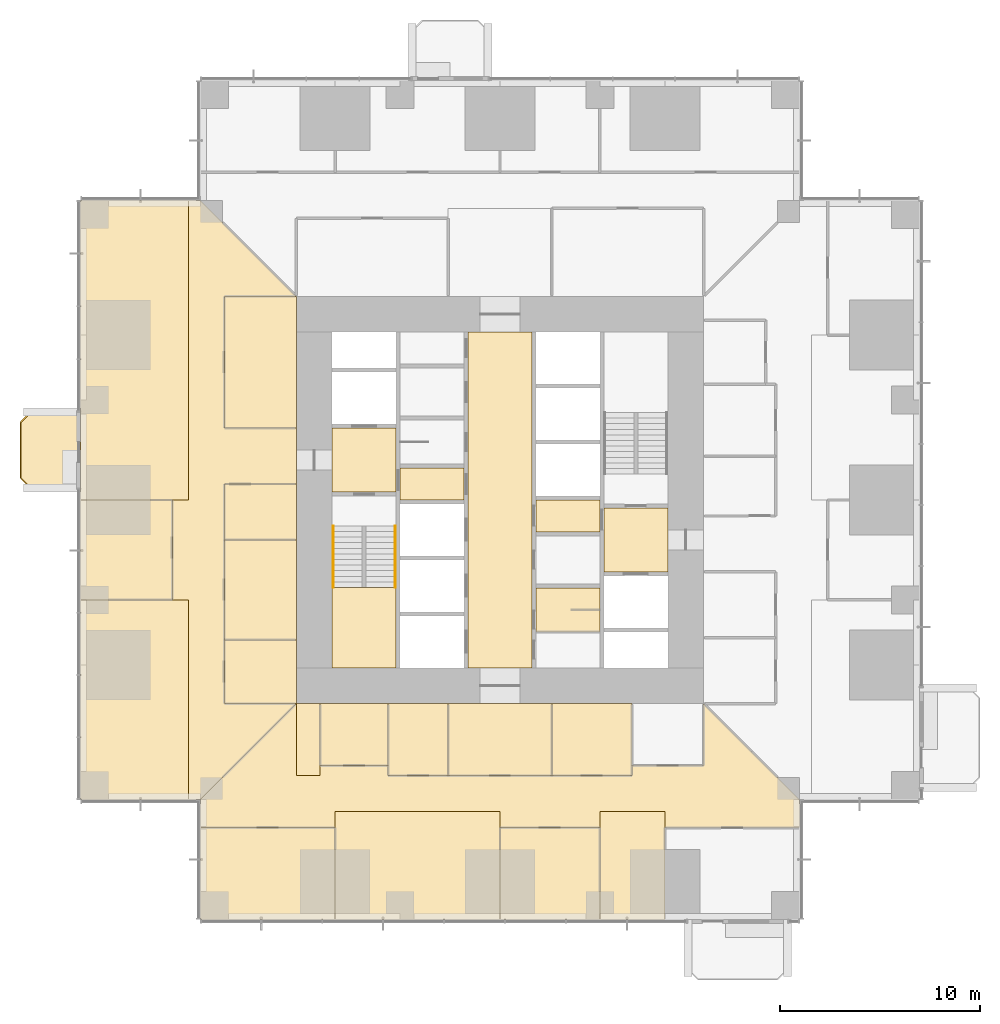
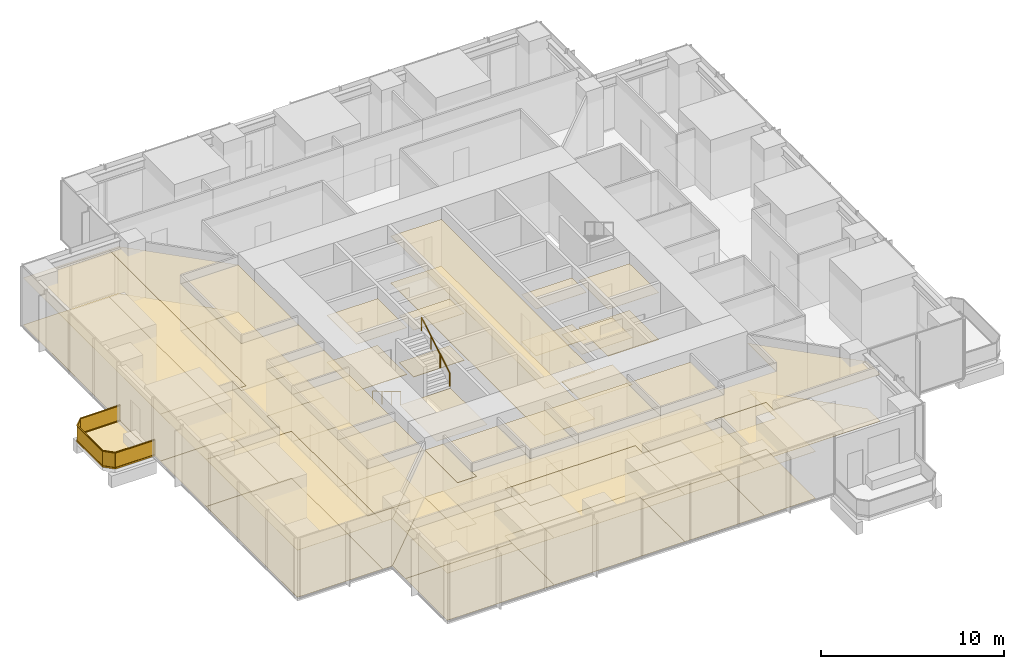
# One storey, part 13 of 16: 50 coverings, 3 railings.
"""IFC4 building model written with IfcOpenShell, lengths in metres."""

import ifcopenshell
import ifcopenshell.guid

model = None  # the IFC model being written
_history = None  # IfcOwnerHistory: only IFC2X3 demands one
_inside = {}  # id of a spatial element -> (the spatial element, [elements in it])
_under = {}  # id of a project, library or spatial element -> (it, [spatial elements below it])
_declared = {}  # id of a project -> (the project, [libraries it declares])
_typed = {}  # id of a type object -> (the type object, [elements of that type])
_made_of = {}  # id of a material, layer set ... -> (it, [elements and type objects made of it])


def new_model(schema):
    """Start an empty IFC model of exactly this schema.

    Asked for "IFC4X3", IfcOpenShell would pick the latest addendum, in which some entities
    have other attributes; the version numbers below select the first issue.
    IFC2X3 requires an IfcOwnerHistory on every rooted entity: one is made here for all.
    """
    global model, _history
    if schema == "IFC4X3":
        model = ifcopenshell.file(schema_version=(4, 3, 0, 0))
    else:
        model = ifcopenshell.file(schema=schema)
    _inside.clear()
    _under.clear()
    _declared.clear()
    _typed.clear()
    _made_of.clear()
    _history = None
    if model.schema == "IFC2X3":
        org = make("IfcOrganization", Name="unknown")
        user = make(
            "IfcPersonAndOrganization",
            ThePerson=make("IfcPerson", FamilyName="unknown"),
            TheOrganization=org,
        )
        app = make(
            "IfcApplication",
            ApplicationDeveloper=org,
            Version="unknown",
            ApplicationFullName="unknown",
            ApplicationIdentifier="unknown",
        )
        _history = make(
            "IfcOwnerHistory",
            OwningUser=user,
            OwningApplication=app,
            ChangeAction="ADDED",
            CreationDate=0,
        )
    return model


def make(cls, **values):
    """One entity of the class cls with the attributes given. An attribute that is None is left unset."""
    return model.create_entity(
        cls, **{name: value for name, value in values.items() if value is not None}
    )


def rooted(cls, **values):
    """An entity with a GlobalId (a new one), such as an element, a storey or a relation."""
    return make(cls, GlobalId=ifcopenshell.guid.new(), OwnerHistory=_history, **values)


def si_unit(unit_type, name, prefix=None):
    """IfcSIUnit, for example si_unit("LENGTHUNIT", "METRE", prefix="MILLI")."""
    return make("IfcSIUnit", UnitType=unit_type, Prefix=prefix, Name=name)


def assignment(units):
    """IfcUnitAssignment: the units of a project."""
    return None if units is None else make("IfcUnitAssignment", Units=units)


def point(xyz):
    """IfcCartesianPoint."""
    return None if xyz is None else make("IfcCartesianPoint", Coordinates=xyz)


def direction(xyz):
    """IfcDirection."""
    return None if xyz is None else make("IfcDirection", DirectionRatios=xyz)


def frame(location, z_axis=None, x_axis=None):
    """IfcAxis2Placement3D, a coordinate frame: its origin and axes. An axis left out is left unset."""
    return make(
        "IfcAxis2Placement3D",
        Location=point(location),
        Axis=direction(z_axis),
        RefDirection=direction(x_axis),
    )


def frame_2d(location, x_axis=None):
    """IfcAxis2Placement2D, a coordinate frame in the plane: its origin and x axis."""
    return make(
        "IfcAxis2Placement2D", Location=point(location), RefDirection=direction(x_axis)
    )


def origin():
    """The frame at (0, 0, 0) with its axes left unset."""
    return frame((0.0, 0.0, 0.0))


def origin_2d():
    """The frame at (0, 0) in the plane with its x axis left unset."""
    return frame_2d((0.0, 0.0))


def place(relative_to, where):
    """IfcLocalPlacement: puts the frame where relative to a parent placement (None: the world)."""
    return make(
        "IfcLocalPlacement", PlacementRelTo=relative_to, RelativePlacement=where
    )


def context(
    kind, dimensions, precision=None, world=None, true_north=None, identifier=None
):
    """IfcGeometricRepresentationContext, for example the 3D "Model" context."""
    return make(
        "IfcGeometricRepresentationContext",
        ContextIdentifier=identifier,
        ContextType=kind,
        CoordinateSpaceDimension=dimensions,
        Precision=precision,
        WorldCoordinateSystem=world,
        TrueNorth=true_north,
    )


def subcontext(parent, identifier, kind, view, scale=None):
    """IfcGeometricRepresentationSubContext, for example "Body" below "Model"."""
    return make(
        "IfcGeometricRepresentationSubContext",
        ContextIdentifier=identifier,
        ContextType=kind,
        ParentContext=parent,
        TargetScale=scale,
        TargetView=view,
    )


def project(units=None, contexts=None):
    """IfcProject with its units and contexts."""
    return rooted(
        "IfcProject",
        Name="project",
        RepresentationContexts=contexts,
        UnitsInContext=assignment(units),
    )


def spatial(cls, under=None, at=None, **own):
    """A site, building, storey or space (cls), placed at a placement, below another one or the project."""
    s = rooted(cls, ObjectPlacement=at, **own)
    if under is not None:
        _under.setdefault(under.id(), (under, []))[1].append(s)
    return s


def polyline(points):
    """IfcPolyline through the points."""
    return make("IfcPolyline", Points=[point(p) for p in points])


def profile(cls, at=None, kind="AREA", **sizes):
    """A parametric profile (cls). Its sizes go by their IFC names, for example OverallWidth=200.0."""
    return make(cls, ProfileType=kind, Position=at, **sizes)


def rectangle(**sizes):
    """IfcRectangleProfileDef."""
    return profile("IfcRectangleProfileDef", **sizes)


def circle(**sizes):
    """IfcCircleProfileDef."""
    return profile("IfcCircleProfileDef", **sizes)


def outline(outer, holes=None, kind="AREA"):
    """IfcArbitraryClosedProfileDef: a profile drawn as a closed curve; with holes, ...WithVoids."""
    if holes is None:
        return make("IfcArbitraryClosedProfileDef", ProfileType=kind, OuterCurve=outer)
    return make(
        "IfcArbitraryProfileDefWithVoids",
        ProfileType=kind,
        OuterCurve=outer,
        InnerCurves=holes,
    )


def extrude(swept, where, along, depth):
    """IfcExtrudedAreaSolid: the profile swept, set in the frame where, extruded along a direction by depth."""
    return make(
        "IfcExtrudedAreaSolid",
        SweptArea=swept,
        Position=where,
        ExtrudedDirection=direction(along),
        Depth=depth,
    )


def shape(context_of_items, identifier, shape_type, items):
    """IfcShapeRepresentation: the items that make up one representation, for example the "Body"."""
    return make(
        "IfcShapeRepresentation",
        ContextOfItems=context_of_items,
        RepresentationIdentifier=identifier,
        RepresentationType=shape_type,
        Items=items,
    )


def material(Name=None, Category=None):
    """IfcMaterial."""
    return make("IfcMaterial", Name=Name, Category=Category)


def layer(
    of_material, thickness, ventilated=None, Name=None, Category=None, Priority=None
):
    """IfcMaterialLayer: one layer of a wall or slab, of a material (None: an air gap)."""
    return make(
        "IfcMaterialLayer",
        Material=of_material,
        LayerThickness=thickness,
        IsVentilated=ventilated,
        Name=Name,
        Category=Category,
        Priority=Priority,
    )


def layer_set(layers, Name=None):
    """IfcMaterialLayerSet."""
    return make("IfcMaterialLayerSet", MaterialLayers=layers, LayerSetName=Name)


def made_of(thing, what):
    """Note that an element or type object is made of a material, layer set ...; save() writes the relation."""
    if what is not None:
        _made_of.setdefault(what.id(), (what, []))[1].append(thing)
    return thing


def type_object(cls, material=None, **own):
    """A type object (cls), such as IfcWallType, which elements share."""
    return made_of(rooted(cls, **own), material)


def element(
    cls,
    number,
    at=None,
    inside=None,
    cuts=None,
    type_object=None,
    material=None,
    context=None,
    identifier="Body",
    shape_type=None,
    held_by="IfcProductDefinitionShape",
    body=None,
    shapes=None,
    **own,
):
    """One element of the class cls, such as IfcWall. Its Tag is "e" and its number.

    at: its placement. inside: the storey or other place that contains it. cuts: it is an
    opening in that element (IfcRelVoidsElement). A single representation is given by context,
    identifier, shape_type and body (its items); several are given by shapes. held_by: the class
    of the entity that holds the representations. save() writes the other relations.
    """
    e = rooted(cls, Tag="e%d" % number, ObjectPlacement=at, **own)
    if body is not None:
        shapes = [shape(context, identifier, shape_type, body)]
    if shapes is not None:
        e.Representation = make(held_by, Representations=shapes)
    if inside is not None:
        _inside.setdefault(inside.id(), (inside, []))[1].append(e)
    if cuts is not None:
        rooted(
            "IfcRelVoidsElement", RelatingBuildingElement=cuts, RelatedOpeningElement=e
        )
    if type_object is not None:
        _typed.setdefault(type_object.id(), (type_object, []))[1].append(e)
    return made_of(e, material)


def aggregate(whole, parts):
    """IfcRelAggregates: a whole, such as a stair, and the parts it consists of."""
    return rooted("IfcRelAggregates", RelatingObject=whole, RelatedObjects=parts)


def save(model, path):
    """Write the relations noted so far, then the file.

    IfcRelAggregates (storeys below a building ...), IfcRelContainedInSpatialStructure (elements
    in a storey), IfcRelDefinesByType, IfcRelAssociatesMaterial and IfcRelDeclares: one each for
    every whole, place, type object, material and project.
    """
    for whole, parts in _under.values():
        aggregate(whole, parts)
    for where, things in _inside.values():
        rooted(
            "IfcRelContainedInSpatialStructure",
            RelatedElements=things,
            RelatingStructure=where,
        )
    for kind, things in _typed.values():
        rooted("IfcRelDefinesByType", RelatedObjects=things, RelatingType=kind)
    for what, things in _made_of.values():
        rooted("IfcRelAssociatesMaterial", RelatedObjects=things, RelatingMaterial=what)
    for by, libraries in _declared.values():
        rooted("IfcRelDeclares", RelatingContext=by, RelatedDefinitions=libraries)
    model.write(path)


model = new_model("IFC4")

# Units and contexts
model_context = context("Model", 3, precision=1e-05, world=origin(), true_north=direction((0.0, 1.0)))
body_context = subcontext(model_context, "Body", "Model", "MODEL_VIEW")
ifc_project = project(units=[si_unit("LENGTHUNIT", "METRE"), si_unit("AREAUNIT", "SQUARE_METRE"), si_unit("VOLUMEUNIT", "CUBIC_METRE"), si_unit("PLANEANGLEUNIT", "RADIAN"), si_unit("MASSUNIT", "GRAM", prefix="KILO")], contexts=[model_context])

# Site, building, storey
site_placement = place(None, origin())
site = spatial("IfcSite", under=ifc_project, at=site_placement, CompositionType="ELEMENT")
building_placement = place(site_placement, origin())
building = spatial("IfcBuilding", under=site, at=building_placement, Name="Svetlomir Tower", CompositionType="ELEMENT")
storey_placement = place(building_placement, frame((0.0, 0.0, 50.5)))
storey = spatial("IfcBuildingStorey", under=building, at=storey_placement, Name="L11", CompositionType="ELEMENT", Elevation=50.5)

# Railing
ifc_material_1 = material(Name="Bronze anodised aluminium and laminated glass", Category="aluminium")
railing_type_1 = type_object("IfcRailingType", Name="BALCONY GUARD GR1 1100", PredefinedType="GUARDRAIL", material=ifc_material_1)
railing_1_placement = place(storey_placement, frame((0.0, 25.39990234375, 0.0)))
element("IfcRailing", 1, at=railing_1_placement, inside=storey, type_object=railing_type_1, Name="Balcony guard W L11", PredefinedType="GUARDRAIL", context=body_context, shape_type="SweptSolid", body=[
    extrude(rectangle(XDim=0.06005859375, YDim=0.10009765625, at=origin_2d()), frame((0.0, 0.0, 0.050048828125), z_axis=(-1.0, 0.0, 0.0), x_axis=(0.0, -1.0, 0.0)), (0.0, 0.0, 1.0), 2.5),
    extrude(rectangle(XDim=0.021484375, YDim=0.960205078125, at=origin_2d()), frame((0.0, 0.0, 0.580078125), z_axis=(-1.0, 0.0, 0.0), x_axis=(0.0, -1.0, 0.0)), (0.0, 0.0, 1.0), 2.5),
    extrude(rectangle(XDim=0.06005859375, YDim=0.0400390625, at=origin_2d()), frame((0.0, 0.0, 1.080078125), z_axis=(-1.0, 0.0, 0.0), x_axis=(0.0, -1.0, 0.0)), (0.0, 0.0, 1.0), 2.5),
    extrude(rectangle(XDim=0.06005859375, YDim=0.10009765625, at=origin_2d()), frame((-2.5, 0.0, 0.050048828125), z_axis=(-0.707106781187, -0.707106781187, 0.0), x_axis=(0.707106781187, -0.707106781187, 0.0)), (0.0, 0.0, 1.0), 0.70703125),
    extrude(rectangle(XDim=0.021484375, YDim=0.960205078125, at=origin_2d()), frame((-2.5, 0.0, 0.580078125), z_axis=(-0.707106781187, -0.707106781187, 0.0), x_axis=(0.707106781187, -0.707106781187, 0.0)), (0.0, 0.0, 1.0), 0.70703125),
    extrude(rectangle(XDim=0.06005859375, YDim=0.0400390625, at=origin_2d()), frame((-2.5, 0.0, 1.080078125), z_axis=(-0.707106781187, -0.707106781187, 0.0), x_axis=(0.707106781187, -0.707106781187, 0.0)), (0.0, 0.0, 1.0), 0.70703125),
    extrude(rectangle(XDim=0.06005859375, YDim=0.10009765625, at=origin_2d()), frame((-3.0, -0.5, 0.050048828125), z_axis=(0.0, -1.0, 0.0), x_axis=(1.0, 0.0, 0.0)), (0.0, 0.0, 1.0), 2.7998046875),
    extrude(rectangle(XDim=0.021484375, YDim=0.960205078125, at=origin_2d()), frame((-3.0, -0.5, 0.580078125), z_axis=(0.0, -1.0, 0.0), x_axis=(1.0, 0.0, 0.0)), (0.0, 0.0, 1.0), 2.7998046875),
    extrude(rectangle(XDim=0.06005859375, YDim=0.0400390625, at=origin_2d()), frame((-3.0, -0.5, 1.080078125), z_axis=(0.0, -1.0, 0.0), x_axis=(1.0, 0.0, 0.0)), (0.0, 0.0, 1.0), 2.7998046875),
    extrude(rectangle(XDim=0.06005859375, YDim=0.10009765625, at=origin_2d()), frame((-3.0, -3.2998046875, 0.050048828125), z_axis=(0.707106781187, -0.707106781187, 0.0), x_axis=(0.707106781187, 0.707106781187, 0.0)), (0.0, 0.0, 1.0), 0.70703125),
    extrude(rectangle(XDim=0.021484375, YDim=0.960205078125, at=origin_2d()), frame((-3.0, -3.2998046875, 0.580078125), z_axis=(0.707106781187, -0.707106781187, 0.0), x_axis=(0.707106781187, 0.707106781187, 0.0)), (0.0, 0.0, 1.0), 0.70703125),
    extrude(rectangle(XDim=0.06005859375, YDim=0.0400390625, at=origin_2d()), frame((-3.0, -3.2998046875, 1.080078125), z_axis=(0.707106781187, -0.707106781187, 0.0), x_axis=(0.707106781187, 0.707106781187, 0.0)), (0.0, 0.0, 1.0), 0.70703125),
    extrude(rectangle(XDim=0.06005859375, YDim=0.10009765625, at=origin_2d()), frame((-2.5, -3.7998046875, 0.050048828125), z_axis=(1.0, 0.0, 0.0), x_axis=(0.0, 1.0, 0.0)), (0.0, 0.0, 1.0), 2.5),
    extrude(rectangle(XDim=0.021484375, YDim=0.960205078125, at=origin_2d()), frame((-2.5, -3.7998046875, 0.580078125), z_axis=(1.0, 0.0, 0.0), x_axis=(0.0, 1.0, 0.0)), (0.0, 0.0, 1.0), 2.5),
    extrude(rectangle(XDim=0.06005859375, YDim=0.0400390625, at=origin_2d()), frame((-2.5, -3.7998046875, 1.080078125), z_axis=(1.0, 0.0, 0.0), x_axis=(0.0, 1.0, 0.0)), (0.0, 0.0, 1.0), 2.5),
])

# Coverings
ifc_material_2 = material(Name="Granite paving slabs on pedestals", Category="masonry")
ifc_layer_1 = layer(ifc_material_2, 0.0400390625)
ifc_layer_set_1 = layer_set([ifc_layer_1], Name="Granite paving slabs on pedestals")
covering_type_1 = type_object("IfcCoveringType", Name="BALCONY PAVING 40", PredefinedType="USERDEFINED", material=ifc_layer_set_1)
covering_1_placement = place(storey_placement, origin())
element("IfcCovering", 2, at=covering_1_placement, inside=storey, type_object=covering_type_1, Name="Balcony paving W L11", ObjectType="BALCONY PAVING", PredefinedType="USERDEFINED", context=body_context, shape_type="SweptSolid", body=[
    extrude(outline(polyline([(-2.5, 21.60009765625), (0.0, 21.60009765625), (0.0, 25.39990234375), (-2.5, 25.39990234375), (-3.0, 24.89990234375), (-3.0, 22.10009765625), (-2.5, 21.60009765625)])), origin(), (0.0, 0.0, 1.0), 0.0400390625),
])
ifc_material_3 = material(Name="Carpet tile", Category="textile")
ifc_layer_2 = layer(ifc_material_3, 0.010009765625)
ifc_layer_set_2 = layer_set([ifc_layer_2], Name="Carpet tile")
covering_type_2 = type_object("IfcCoveringType", Name="CARPET TILE FLOOR 10", PredefinedType="FLOORING", material=ifc_layer_set_2)
covering_2_placement = place(storey_placement, origin())
element("IfcCovering", 3, at=covering_2_placement, inside=storey, type_object=covering_type_2, Name="Floor finish L11-14", PredefinedType="FLOORING", context=body_context, shape_type="SweptSolid", body=[
    extrude(outline(polyline([(12.0, 7.699951171875), (15.39990234375, 7.699951171875), (15.39990234375, 10.800048828125), (12.0, 10.800048828125), (12.0, 7.699951171875)])), origin(), (0.0, 0.0, 1.0), 0.010009765625),
])
covering_3_placement = place(storey_placement, origin())
element("IfcCovering", 4, at=covering_3_placement, inside=storey, type_object=covering_type_2, Name="Floor finish L11-15", PredefinedType="FLOORING", context=body_context, shape_type="SweptSolid", body=[
    extrude(outline(polyline([(15.39990234375, 7.199951171875), (18.39990234375, 7.199951171875), (18.39990234375, 10.800048828125), (15.39990234375, 10.800048828125), (15.39990234375, 7.199951171875)])), origin(), (0.0, 0.0, 1.0), 0.010009765625),
])
covering_4_placement = place(storey_placement, origin())
element("IfcCovering", 5, at=covering_4_placement, inside=storey, type_object=covering_type_2, Name="Floor finish L11-16", PredefinedType="FLOORING", context=body_context, shape_type="SweptSolid", body=[
    extrude(outline(polyline([(23.60009765625, 7.199951171875), (27.60009765625, 7.199951171875), (27.60009765625, 10.800048828125), (23.60009765625, 10.800048828125), (23.60009765625, 7.199951171875)])), origin(), (0.0, 0.0, 1.0), 0.010009765625),
])
covering_5_placement = place(storey_placement, origin())
element("IfcCovering", 6, at=covering_5_placement, inside=storey, type_object=covering_type_2, Name="Floor finish L11-18", PredefinedType="FLOORING", context=body_context, shape_type="SweptSolid", body=[
    extrude(outline(polyline([(6.0, 0.0), (12.75, 0.0), (12.75, 4.60009765625), (6.0, 4.60009765625), (6.0, 0.0)])), origin(), (0.0, 0.0, 1.0), 0.010009765625),
])
covering_6_placement = place(storey_placement, origin())
element("IfcCovering", 7, at=covering_6_placement, inside=storey, type_object=covering_type_2, Name="Floor finish L11-19", PredefinedType="FLOORING", context=body_context, shape_type="SweptSolid", body=[
    extrude(outline(polyline([(21.0, 0.0), (26.0, 0.0), (26.0, 4.60009765625), (21.0, 4.60009765625), (21.0, 0.0)])), origin(), (0.0, 0.0, 1.0), 0.010009765625),
])
covering_7_placement = place(storey_placement, origin())
element("IfcCovering", 8, at=covering_7_placement, inside=storey, type_object=covering_type_2, Name="Floor finish L11-31", PredefinedType="FLOORING", context=body_context, shape_type="SweptSolid", body=[
    extrude(outline(polyline([(7.199951171875, 10.800048828125), (10.800048828125, 10.800048828125), (10.800048828125, 14.0), (7.199951171875, 14.0), (7.199951171875, 10.800048828125)])), origin(), (0.0, 0.0, 1.0), 0.010009765625),
])
covering_8_placement = place(storey_placement, origin())
element("IfcCovering", 9, at=covering_8_placement, inside=storey, type_object=covering_type_2, Name="Floor finish L11-32", PredefinedType="FLOORING", context=body_context, shape_type="SweptSolid", body=[
    extrude(outline(polyline([(7.199951171875, 14.0), (10.800048828125, 14.0), (10.800048828125, 19.0), (7.199951171875, 19.0), (7.199951171875, 14.0)])), origin(), (0.0, 0.0, 1.0), 0.010009765625),
])
covering_9_placement = place(storey_placement, origin())
element("IfcCovering", 10, at=covering_9_placement, inside=storey, type_object=covering_type_2, Name="Floor finish L11-33", PredefinedType="FLOORING", context=body_context, shape_type="SweptSolid", body=[
    extrude(outline(polyline([(7.199951171875, 24.60009765625), (10.800048828125, 24.60009765625), (10.800048828125, 31.199951171875), (7.199951171875, 31.199951171875), (7.199951171875, 24.60009765625)])), origin(), (0.0, 0.0, 1.0), 0.010009765625),
])
covering_10_placement = place(storey_placement, origin())
element("IfcCovering", 11, at=covering_10_placement, inside=storey, type_object=covering_type_2, Name="Floor finish L11-34", PredefinedType="FLOORING", context=body_context, shape_type="SweptSolid", body=[
    extrude(outline(polyline([(0.0, 16.0), (4.60009765625, 16.0), (4.60009765625, 21.0), (0.0, 21.0), (0.0, 16.0)])), origin(), (0.0, 0.0, 1.0), 0.010009765625),
])
covering_11_placement = place(storey_placement, origin())
element("IfcCovering", 12, at=covering_11_placement, inside=storey, type_object=covering_type_2, Name="Floor finish L11-35", PredefinedType="FLOORING", context=body_context, shape_type="SweptSolid", body=[
    extrude(outline(polyline([(6.0, 6.0), (10.800048828125, 10.800048828125), (10.800048828125, 7.199951171875), (12.0, 7.199951171875), (12.0, 7.699951171875), (15.39990234375, 7.699951171875), (15.39990234375, 7.199951171875), (27.60009765625, 7.199951171875), (27.60009765625, 7.699951171875), (31.199951171875, 7.699951171875), (31.199951171875, 10.800048828125), (36.0, 6.0), (36.0, 4.60009765625), (29.25, 4.60009765625), (29.25, 5.39990234375), (26.0, 5.39990234375), (26.0, 4.60009765625), (21.0, 4.60009765625), (21.0, 5.39990234375), (12.75, 5.39990234375), (12.75, 4.60009765625), (6.0, 4.60009765625), (6.0, 6.0)])), origin(), (0.0, 0.0, 1.0), 0.010009765625),
])
covering_12_placement = place(storey_placement, origin())
element("IfcCovering", 13, at=covering_12_placement, inside=storey, type_object=covering_type_2, Name="Floor finish L11-38", PredefinedType="FLOORING", context=body_context, shape_type="SweptSolid", body=[
    extrude(outline(polyline([(5.39990234375, 6.0), (5.39990234375, 16.0), (4.60009765625, 16.0), (4.60009765625, 21.0), (5.39990234375, 21.0), (5.39990234375, 36.0), (6.0, 36.0), (10.800048828125, 31.199951171875), (7.199951171875, 31.199951171875), (7.199951171875, 24.60009765625), (10.800048828125, 24.60009765625), (10.800048828125, 21.800048828125), (7.199951171875, 21.800048828125), (7.199951171875, 10.800048828125), (10.800048828125, 10.800048828125), (6.0, 6.0), (5.39990234375, 6.0)])), origin(), (0.0, 0.0, 1.0), 0.010009765625),
])
covering_13_placement = place(storey_placement, origin())
element("IfcCovering", 14, at=covering_13_placement, inside=storey, type_object=covering_type_2, Name="Floor finish L11-39", PredefinedType="FLOORING", context=body_context, shape_type="SweptSolid", body=[
    extrude(outline(polyline([(12.75, 5.39990234375), (21.0, 5.39990234375), (21.0, 0.0), (12.75, 0.0), (12.75, 5.39990234375)])), origin(), (0.0, 0.0, 1.0), 0.010009765625),
])
covering_14_placement = place(storey_placement, origin())
element("IfcCovering", 15, at=covering_14_placement, inside=storey, type_object=covering_type_2, Name="Floor finish L11-40", PredefinedType="FLOORING", context=body_context, shape_type="SweptSolid", body=[
    extrude(outline(polyline([(26.0, 0.0), (26.0, 5.39990234375), (29.25, 5.39990234375), (29.25, 0.0), (26.0, 0.0)])), origin(), (0.0, 0.0, 1.0), 0.010009765625),
])
covering_15_placement = place(storey_placement, origin())
element("IfcCovering", 16, at=covering_15_placement, inside=storey, type_object=covering_type_2, Name="Floor finish L11-41", PredefinedType="FLOORING", context=body_context, shape_type="SweptSolid", body=[
    extrude(outline(polyline([(23.60009765625, 10.800048828125), (23.60009765625, 7.199951171875), (18.39990234375, 7.199951171875), (18.39990234375, 10.800048828125), (23.60009765625, 10.800048828125)])), origin(), (0.0, 0.0, 1.0), 0.010009765625),
])
covering_16_placement = place(storey_placement, origin())
element("IfcCovering", 17, at=covering_16_placement, inside=storey, type_object=covering_type_2, Name="Floor finish L11-42", PredefinedType="FLOORING", context=body_context, shape_type="SweptSolid", body=[
    extrude(outline(polyline([(12.0, 7.199951171875), (10.800048828125, 7.199951171875), (10.800048828125, 10.800048828125), (12.0, 10.800048828125), (12.0, 7.199951171875)])), origin(), (0.0, 0.0, 1.0), 0.010009765625),
])
covering_17_placement = place(storey_placement, origin())
element("IfcCovering", 18, at=covering_17_placement, inside=storey, type_object=covering_type_2, Name="Floor finish L11-49", PredefinedType="FLOORING", context=body_context, shape_type="SweptSolid", body=[
    extrude(outline(polyline([(0.0, 16.0), (5.39990234375, 16.0), (5.39990234375, 6.0), (0.0, 6.0), (0.0, 16.0)])), origin(), (0.0, 0.0, 1.0), 0.010009765625),
])
covering_18_placement = place(storey_placement, origin())
element("IfcCovering", 19, at=covering_18_placement, inside=storey, type_object=covering_type_2, Name="Floor finish L11-50", PredefinedType="FLOORING", context=body_context, shape_type="SweptSolid", body=[
    extrude(outline(polyline([(0.0, 36.0), (5.39990234375, 36.0), (5.39990234375, 21.0), (0.0, 21.0), (0.0, 36.0)])), origin(), (0.0, 0.0, 1.0), 0.010009765625),
])
covering_19_placement = place(storey_placement, origin())
element("IfcCovering", 20, at=covering_19_placement, inside=storey, type_object=covering_type_2, Name="Floor finish L11-51", PredefinedType="FLOORING", context=body_context, shape_type="SweptSolid", body=[
    extrude(outline(polyline([(7.199951171875, 19.0), (7.199951171875, 21.800048828125), (10.800048828125, 21.800048828125), (10.800048828125, 19.0), (7.199951171875, 19.0)])), origin(), (0.0, 0.0, 1.0), 0.010009765625),
])
ifc_material_4 = material(Name="Ceramic floor tile", Category="ceramic")
ifc_layer_3 = layer(ifc_material_4, 0.014892578125)
ifc_layer_set_3 = layer_set([ifc_layer_3], Name="Ceramic floor tile")
covering_type_3 = type_object("IfcCoveringType", Name="CERAMIC TILE FLOOR 15", PredefinedType="FLOORING", material=ifc_layer_set_3)
covering_20_placement = place(storey_placement, origin())
element("IfcCovering", 21, at=covering_20_placement, inside=storey, type_object=covering_type_3, Name="Floor finish L11-09", PredefinedType="FLOORING", context=body_context, shape_type="SweptSolid", body=[
    extrude(outline(polyline([(22.800048828125, 14.39990234375), (26.0, 14.39990234375), (26.0, 16.60009765625), (22.800048828125, 16.60009765625), (22.800048828125, 14.39990234375)])), origin(), (0.0, 0.0, 1.0), 0.014892578125),
])

# Railings
ifc_material_5 = material(Name="Stainless steel", Category="steel")
railing_type_2 = type_object("IfcRailingType", Name="HANDRAIL HR1 900", PredefinedType="HANDRAIL", material=ifc_material_5)
railing_2_placement = place(storey_placement, frame((12.64990234375, 19.699951171875, 0.166748046875)))
element("IfcRailing", 22, at=railing_2_placement, inside=storey, type_object=railing_type_2, Name="Handrail S1 flight 1 L11", PredefinedType="HANDRAIL", context=body_context, shape_type="SweptSolid", body=[
    extrude(circle(Radius=0.02392578125, at=origin_2d()), frame((0.0, 0.0, 0.8759765625), z_axis=(0.0, -0.859290745958, 0.51148745235), x_axis=(1.0, 0.0, 0.0)), (0.0, 0.0, 1.0), 3.584228515625),
    extrude(circle(Radius=0.02099609375, at=origin_2d()), origin(), (0.0, 0.0, 1.0), 0.851806640625),
    extrude(circle(Radius=0.02099609375, at=origin_2d()), frame((0.0, -1.026611328125, 0.611083984375)), (0.0, 0.0, 1.0), 0.851806640625),
    extrude(circle(Radius=0.02099609375, at=origin_2d()), frame((0.0, -2.05322265625, 1.22216796875)), (0.0, 0.0, 1.0), 0.851806640625),
    extrude(circle(Radius=0.02099609375, at=origin_2d()), frame((0.0, -3.079833984375, 1.833251953125)), (0.0, 0.0, 1.0), 0.851806640625),
])
railing_3_placement = place(storey_placement, frame((15.75, 16.6201171875, 2.166748046875)))
element("IfcRailing", 23, at=railing_3_placement, inside=storey, type_object=railing_type_2, Name="Handrail S1 flight 2 L11", PredefinedType="HANDRAIL", context=body_context, shape_type="SweptSolid", body=[
    extrude(circle(Radius=0.02392578125, at=origin_2d()), frame((0.0, 0.0, 0.8759765625), z_axis=(0.0, 0.859290745958, 0.51148745235), x_axis=(-1.0, 0.0, 0.0)), (0.0, 0.0, 1.0), 3.584228515625),
    extrude(circle(Radius=0.02099609375, at=origin_2d()), origin(), (0.0, 0.0, 1.0), 0.851806640625),
    extrude(circle(Radius=0.02099609375, at=origin_2d()), frame((0.0, 1.026611328125, 0.611083984375)), (0.0, 0.0, 1.0), 0.851806640625),
    extrude(circle(Radius=0.02099609375, at=origin_2d()), frame((0.0, 2.05322265625, 1.22216796875)), (0.0, 0.0, 1.0), 0.851806640625),
    extrude(circle(Radius=0.02099609375, at=origin_2d()), frame((0.0, 3.079833984375, 1.833251953125)), (0.0, 0.0, 1.0), 0.851806640625),
])

# Coverings
ifc_material_6 = material(Name="Moisture resistant plasterboard ceiling", Category="gypsum")
ifc_layer_4 = layer(ifc_material_6, 0.012451171875)
ifc_layer_set_4 = layer_set([ifc_layer_4], Name="Moisture resistant plasterboard ceiling")
covering_type_4 = type_object("IfcCoveringType", Name="MOISTURE RESISTANT CEILING 12.5", PredefinedType="CEILING", material=ifc_layer_set_4)
covering_21_placement = place(storey_placement, frame((0.0, 0.0, 3.137451171875)))
element("IfcCovering", 24, at=covering_21_placement, inside=storey, type_object=covering_type_4, Name="Ceiling L11-09", PredefinedType="CEILING", context=body_context, shape_type="SweptSolid", body=[
    extrude(outline(polyline([(22.800048828125, 14.39990234375), (26.0, 14.39990234375), (26.0, 16.60009765625), (22.800048828125, 16.60009765625), (22.800048828125, 14.39990234375)])), origin(), (0.0, 0.0, 1.0), 0.012451171875),
])
ifc_material_7 = material(Name="Gypsum plasterboard ceiling", Category="gypsum")
ifc_layer_5 = layer(ifc_material_7, 0.014892578125)
ifc_layer_set_5 = layer_set([ifc_layer_5], Name="Gypsum plasterboard ceiling")
covering_type_5 = type_object("IfcCoveringType", Name="PLASTERBOARD CEILING 15", PredefinedType="CEILING", material=ifc_layer_set_5)
covering_22_placement = place(storey_placement, frame((0.0, 0.0, 3.135009765625)))
element("IfcCovering", 25, at=covering_22_placement, inside=storey, type_object=covering_type_5, Name="Ceiling L11-02", PredefinedType="CEILING", context=body_context, shape_type="SweptSolid", body=[
    extrude(outline(polyline([(12.60009765625, 21.39990234375), (15.800048828125, 21.39990234375), (15.800048828125, 24.60009765625), (12.60009765625, 24.60009765625), (12.60009765625, 21.39990234375)])), origin(), (0.0, 0.0, 1.0), 0.014892578125),
])
covering_23_placement = place(storey_placement, frame((0.0, 0.0, 3.135009765625)))
element("IfcCovering", 26, at=covering_23_placement, inside=storey, type_object=covering_type_5, Name="Ceiling L11-03", PredefinedType="CEILING", context=body_context, shape_type="SweptSolid", body=[
    extrude(outline(polyline([(16.0, 21.0), (19.199951171875, 21.0), (19.199951171875, 22.60009765625), (16.0, 22.60009765625), (16.0, 21.0)])), origin(), (0.0, 0.0, 1.0), 0.014892578125),
])
covering_24_placement = place(storey_placement, frame((0.0, 0.0, 3.135009765625)))
element("IfcCovering", 27, at=covering_24_placement, inside=storey, type_object=covering_type_5, Name="Ceiling L11-07", PredefinedType="CEILING", context=body_context, shape_type="SweptSolid", body=[
    extrude(outline(polyline([(19.39990234375, 12.60009765625), (22.60009765625, 12.60009765625), (22.60009765625, 29.39990234375), (19.39990234375, 29.39990234375), (19.39990234375, 12.60009765625)])), origin(), (0.0, 0.0, 1.0), 0.014892578125),
])
covering_25_placement = place(storey_placement, frame((0.0, 0.0, 3.135009765625)))
element("IfcCovering", 28, at=covering_25_placement, inside=storey, type_object=covering_type_5, Name="Ceiling L11-11", PredefinedType="CEILING", context=body_context, shape_type="SweptSolid", body=[
    extrude(outline(polyline([(22.800048828125, 19.39990234375), (26.0, 19.39990234375), (26.0, 21.0), (22.800048828125, 21.0), (22.800048828125, 19.39990234375)])), origin(), (0.0, 0.0, 1.0), 0.014892578125),
])
covering_26_placement = place(storey_placement, frame((0.0, 0.0, 3.135009765625)))
element("IfcCovering", 29, at=covering_26_placement, inside=storey, type_object=covering_type_5, Name="Ceiling L11-12", PredefinedType="CEILING", context=body_context, shape_type="SweptSolid", body=[
    extrude(outline(polyline([(26.199951171875, 17.39990234375), (29.39990234375, 17.39990234375), (29.39990234375, 20.60009765625), (26.199951171875, 20.60009765625), (26.199951171875, 17.39990234375)])), origin(), (0.0, 0.0, 1.0), 0.014892578125),
])
ifc_material_8 = material(Name="Studded rubber floor finish", Category="rubber")
ifc_layer_6 = layer(ifc_material_8, 0.006103515625)
ifc_layer_set_6 = layer_set([ifc_layer_6], Name="Studded rubber floor finish")
covering_type_6 = type_object("IfcCoveringType", Name="RUBBER LANDING FINISH 6", PredefinedType="FLOORING", material=ifc_layer_set_6)
covering_27_placement = place(storey_placement, frame((0.0, 0.0, 2.0)))
element("IfcCovering", 30, at=covering_27_placement, inside=storey, type_object=covering_type_6, Name="Stair S1 landing finish L11", PredefinedType="FLOORING", context=body_context, shape_type="SweptSolid", body=[
    extrude(outline(polyline([(12.60009765625, 12.60009765625), (15.800048828125, 12.60009765625), (15.800048828125, 16.6201171875), (12.60009765625, 16.6201171875), (12.60009765625, 12.60009765625)])), origin(), (0.0, 0.0, 1.0), 0.006103515625),
])
ifc_material_9 = material(Name="Mineral fibre ceiling tile", Category="mineral")
ifc_layer_7 = layer(ifc_material_9, 0.02001953125)
ifc_layer_set_7 = layer_set([ifc_layer_7], Name="Mineral fibre ceiling tile")
covering_type_7 = type_object("IfcCoveringType", Name="SUSPENDED CEILING 20", PredefinedType="CEILING", material=ifc_layer_set_7)
covering_28_placement = place(storey_placement, frame((0.0, 0.0, 3.1298828125)))
element("IfcCovering", 31, at=covering_28_placement, inside=storey, type_object=covering_type_7, Name="Ceiling L11-14", PredefinedType="CEILING", context=body_context, shape_type="SweptSolid", body=[
    extrude(outline(polyline([(12.0, 7.699951171875), (15.39990234375, 7.699951171875), (15.39990234375, 10.800048828125), (12.0, 10.800048828125), (12.0, 7.699951171875)])), origin(), (0.0, 0.0, 1.0), 0.02001953125),
])
covering_29_placement = place(storey_placement, frame((0.0, 0.0, 3.1298828125)))
element("IfcCovering", 32, at=covering_29_placement, inside=storey, type_object=covering_type_7, Name="Ceiling L11-15", PredefinedType="CEILING", context=body_context, shape_type="SweptSolid", body=[
    extrude(outline(polyline([(15.39990234375, 7.199951171875), (18.39990234375, 7.199951171875), (18.39990234375, 10.800048828125), (15.39990234375, 10.800048828125), (15.39990234375, 7.199951171875)])), origin(), (0.0, 0.0, 1.0), 0.02001953125),
])
covering_30_placement = place(storey_placement, frame((0.0, 0.0, 3.1298828125)))
element("IfcCovering", 33, at=covering_30_placement, inside=storey, type_object=covering_type_7, Name="Ceiling L11-16", PredefinedType="CEILING", context=body_context, shape_type="SweptSolid", body=[
    extrude(outline(polyline([(23.60009765625, 7.199951171875), (27.60009765625, 7.199951171875), (27.60009765625, 10.800048828125), (23.60009765625, 10.800048828125), (23.60009765625, 7.199951171875)])), origin(), (0.0, 0.0, 1.0), 0.02001953125),
])
covering_31_placement = place(storey_placement, frame((0.0, 0.0, 3.1298828125)))
element("IfcCovering", 34, at=covering_31_placement, inside=storey, type_object=covering_type_7, Name="Ceiling L11-18", PredefinedType="CEILING", context=body_context, shape_type="SweptSolid", body=[
    extrude(outline(polyline([(6.0, 0.0), (12.75, 0.0), (12.75, 4.60009765625), (6.0, 4.60009765625), (6.0, 0.0)])), origin(), (0.0, 0.0, 1.0), 0.02001953125),
])
covering_32_placement = place(storey_placement, frame((0.0, 0.0, 3.1298828125)))
element("IfcCovering", 35, at=covering_32_placement, inside=storey, type_object=covering_type_7, Name="Ceiling L11-19", PredefinedType="CEILING", context=body_context, shape_type="SweptSolid", body=[
    extrude(outline(polyline([(21.0, 0.0), (26.0, 0.0), (26.0, 4.60009765625), (21.0, 4.60009765625), (21.0, 0.0)])), origin(), (0.0, 0.0, 1.0), 0.02001953125),
])
covering_33_placement = place(storey_placement, frame((0.0, 0.0, 3.1298828125)))
element("IfcCovering", 36, at=covering_33_placement, inside=storey, type_object=covering_type_7, Name="Ceiling L11-31", PredefinedType="CEILING", context=body_context, shape_type="SweptSolid", body=[
    extrude(outline(polyline([(7.199951171875, 10.800048828125), (10.800048828125, 10.800048828125), (10.800048828125, 14.0), (7.199951171875, 14.0), (7.199951171875, 10.800048828125)])), origin(), (0.0, 0.0, 1.0), 0.02001953125),
])
covering_34_placement = place(storey_placement, frame((0.0, 0.0, 3.1298828125)))
element("IfcCovering", 37, at=covering_34_placement, inside=storey, type_object=covering_type_7, Name="Ceiling L11-32", PredefinedType="CEILING", context=body_context, shape_type="SweptSolid", body=[
    extrude(outline(polyline([(7.199951171875, 14.0), (10.800048828125, 14.0), (10.800048828125, 19.0), (7.199951171875, 19.0), (7.199951171875, 14.0)])), origin(), (0.0, 0.0, 1.0), 0.02001953125),
])
covering_35_placement = place(storey_placement, frame((0.0, 0.0, 3.1298828125)))
element("IfcCovering", 38, at=covering_35_placement, inside=storey, type_object=covering_type_7, Name="Ceiling L11-33", PredefinedType="CEILING", context=body_context, shape_type="SweptSolid", body=[
    extrude(outline(polyline([(7.199951171875, 24.60009765625), (10.800048828125, 24.60009765625), (10.800048828125, 31.199951171875), (7.199951171875, 31.199951171875), (7.199951171875, 24.60009765625)])), origin(), (0.0, 0.0, 1.0), 0.02001953125),
])
covering_36_placement = place(storey_placement, frame((0.0, 0.0, 3.1298828125)))
element("IfcCovering", 39, at=covering_36_placement, inside=storey, type_object=covering_type_7, Name="Ceiling L11-34", PredefinedType="CEILING", context=body_context, shape_type="SweptSolid", body=[
    extrude(outline(polyline([(0.0, 16.0), (4.60009765625, 16.0), (4.60009765625, 21.0), (0.0, 21.0), (0.0, 16.0)])), origin(), (0.0, 0.0, 1.0), 0.02001953125),
])
covering_37_placement = place(storey_placement, frame((0.0, 0.0, 3.1298828125)))
element("IfcCovering", 40, at=covering_37_placement, inside=storey, type_object=covering_type_7, Name="Ceiling L11-35", PredefinedType="CEILING", context=body_context, shape_type="SweptSolid", body=[
    extrude(outline(polyline([(6.0, 6.0), (10.800048828125, 10.800048828125), (10.800048828125, 7.199951171875), (12.0, 7.199951171875), (12.0, 7.699951171875), (15.39990234375, 7.699951171875), (15.39990234375, 7.199951171875), (27.60009765625, 7.199951171875), (27.60009765625, 7.699951171875), (31.199951171875, 7.699951171875), (31.199951171875, 10.800048828125), (36.0, 6.0), (36.0, 4.60009765625), (29.25, 4.60009765625), (29.25, 5.39990234375), (26.0, 5.39990234375), (26.0, 4.60009765625), (21.0, 4.60009765625), (21.0, 5.39990234375), (12.75, 5.39990234375), (12.75, 4.60009765625), (6.0, 4.60009765625), (6.0, 6.0)])), origin(), (0.0, 0.0, 1.0), 0.02001953125),
])
covering_38_placement = place(storey_placement, frame((0.0, 0.0, 3.1298828125)))
element("IfcCovering", 41, at=covering_38_placement, inside=storey, type_object=covering_type_7, Name="Ceiling L11-38", PredefinedType="CEILING", context=body_context, shape_type="SweptSolid", body=[
    extrude(outline(polyline([(5.39990234375, 6.0), (5.39990234375, 16.0), (4.60009765625, 16.0), (4.60009765625, 21.0), (5.39990234375, 21.0), (5.39990234375, 36.0), (6.0, 36.0), (10.800048828125, 31.199951171875), (7.199951171875, 31.199951171875), (7.199951171875, 24.60009765625), (10.800048828125, 24.60009765625), (10.800048828125, 21.800048828125), (7.199951171875, 21.800048828125), (7.199951171875, 10.800048828125), (10.800048828125, 10.800048828125), (6.0, 6.0), (5.39990234375, 6.0)])), origin(), (0.0, 0.0, 1.0), 0.02001953125),
])
covering_39_placement = place(storey_placement, frame((0.0, 0.0, 3.1298828125)))
element("IfcCovering", 42, at=covering_39_placement, inside=storey, type_object=covering_type_7, Name="Ceiling L11-39", PredefinedType="CEILING", context=body_context, shape_type="SweptSolid", body=[
    extrude(outline(polyline([(12.75, 5.39990234375), (21.0, 5.39990234375), (21.0, 0.0), (12.75, 0.0), (12.75, 5.39990234375)])), origin(), (0.0, 0.0, 1.0), 0.02001953125),
])
covering_40_placement = place(storey_placement, frame((0.0, 0.0, 3.1298828125)))
element("IfcCovering", 43, at=covering_40_placement, inside=storey, type_object=covering_type_7, Name="Ceiling L11-40", PredefinedType="CEILING", context=body_context, shape_type="SweptSolid", body=[
    extrude(outline(polyline([(26.0, 0.0), (26.0, 5.39990234375), (29.25, 5.39990234375), (29.25, 0.0), (26.0, 0.0)])), origin(), (0.0, 0.0, 1.0), 0.02001953125),
])
covering_41_placement = place(storey_placement, frame((0.0, 0.0, 3.1298828125)))
element("IfcCovering", 44, at=covering_41_placement, inside=storey, type_object=covering_type_7, Name="Ceiling L11-41", PredefinedType="CEILING", context=body_context, shape_type="SweptSolid", body=[
    extrude(outline(polyline([(23.60009765625, 10.800048828125), (23.60009765625, 7.199951171875), (18.39990234375, 7.199951171875), (18.39990234375, 10.800048828125), (23.60009765625, 10.800048828125)])), origin(), (0.0, 0.0, 1.0), 0.02001953125),
])
covering_42_placement = place(storey_placement, frame((0.0, 0.0, 3.1298828125)))
element("IfcCovering", 45, at=covering_42_placement, inside=storey, type_object=covering_type_7, Name="Ceiling L11-42", PredefinedType="CEILING", context=body_context, shape_type="SweptSolid", body=[
    extrude(outline(polyline([(12.0, 7.199951171875), (10.800048828125, 7.199951171875), (10.800048828125, 10.800048828125), (12.0, 10.800048828125), (12.0, 7.199951171875)])), origin(), (0.0, 0.0, 1.0), 0.02001953125),
])
covering_43_placement = place(storey_placement, frame((0.0, 0.0, 3.1298828125)))
element("IfcCovering", 46, at=covering_43_placement, inside=storey, type_object=covering_type_7, Name="Ceiling L11-49", PredefinedType="CEILING", context=body_context, shape_type="SweptSolid", body=[
    extrude(outline(polyline([(0.0, 16.0), (5.39990234375, 16.0), (5.39990234375, 6.0), (0.0, 6.0), (0.0, 16.0)])), origin(), (0.0, 0.0, 1.0), 0.02001953125),
])
covering_44_placement = place(storey_placement, frame((0.0, 0.0, 3.1298828125)))
element("IfcCovering", 47, at=covering_44_placement, inside=storey, type_object=covering_type_7, Name="Ceiling L11-50", PredefinedType="CEILING", context=body_context, shape_type="SweptSolid", body=[
    extrude(outline(polyline([(0.0, 36.0), (5.39990234375, 36.0), (5.39990234375, 21.0), (0.0, 21.0), (0.0, 36.0)])), origin(), (0.0, 0.0, 1.0), 0.02001953125),
])
covering_45_placement = place(storey_placement, frame((0.0, 0.0, 3.1298828125)))
element("IfcCovering", 48, at=covering_45_placement, inside=storey, type_object=covering_type_7, Name="Ceiling L11-51", PredefinedType="CEILING", context=body_context, shape_type="SweptSolid", body=[
    extrude(outline(polyline([(7.199951171875, 19.0), (7.199951171875, 21.800048828125), (10.800048828125, 21.800048828125), (10.800048828125, 19.0), (7.199951171875, 19.0)])), origin(), (0.0, 0.0, 1.0), 0.02001953125),
])
ifc_material_10 = material(Name="Bronze-aggregate terrazzo", Category="stone")
ifc_layer_8 = layer(ifc_material_10, 0.030029296875)
ifc_layer_set_8 = layer_set([ifc_layer_8], Name="Bronze-aggregate terrazzo")
covering_type_8 = type_object("IfcCoveringType", Name="TERRAZZO FLOOR 30", PredefinedType="FLOORING", material=ifc_layer_set_8)
covering_46_placement = place(storey_placement, origin())
element("IfcCovering", 49, at=covering_46_placement, inside=storey, type_object=covering_type_8, Name="Floor finish L11-02", PredefinedType="FLOORING", context=body_context, shape_type="SweptSolid", body=[
    extrude(outline(polyline([(12.60009765625, 21.39990234375), (15.800048828125, 21.39990234375), (15.800048828125, 24.60009765625), (12.60009765625, 24.60009765625), (12.60009765625, 21.39990234375)])), origin(), (0.0, 0.0, 1.0), 0.030029296875),
])
covering_47_placement = place(storey_placement, origin())
element("IfcCovering", 50, at=covering_47_placement, inside=storey, type_object=covering_type_8, Name="Floor finish L11-03", PredefinedType="FLOORING", context=body_context, shape_type="SweptSolid", body=[
    extrude(outline(polyline([(16.0, 21.0), (19.199951171875, 21.0), (19.199951171875, 22.60009765625), (16.0, 22.60009765625), (16.0, 21.0)])), origin(), (0.0, 0.0, 1.0), 0.030029296875),
])
covering_48_placement = place(storey_placement, origin())
element("IfcCovering", 51, at=covering_48_placement, inside=storey, type_object=covering_type_8, Name="Floor finish L11-07", PredefinedType="FLOORING", context=body_context, shape_type="SweptSolid", body=[
    extrude(outline(polyline([(19.39990234375, 12.60009765625), (22.60009765625, 12.60009765625), (22.60009765625, 29.39990234375), (19.39990234375, 29.39990234375), (19.39990234375, 12.60009765625)])), origin(), (0.0, 0.0, 1.0), 0.030029296875),
])
covering_49_placement = place(storey_placement, origin())
element("IfcCovering", 52, at=covering_49_placement, inside=storey, type_object=covering_type_8, Name="Floor finish L11-11", PredefinedType="FLOORING", context=body_context, shape_type="SweptSolid", body=[
    extrude(outline(polyline([(22.800048828125, 19.39990234375), (26.0, 19.39990234375), (26.0, 21.0), (22.800048828125, 21.0), (22.800048828125, 19.39990234375)])), origin(), (0.0, 0.0, 1.0), 0.030029296875),
])
covering_50_placement = place(storey_placement, origin())
element("IfcCovering", 53, at=covering_50_placement, inside=storey, type_object=covering_type_8, Name="Floor finish L11-12", PredefinedType="FLOORING", context=body_context, shape_type="SweptSolid", body=[
    extrude(outline(polyline([(26.199951171875, 17.39990234375), (29.39990234375, 17.39990234375), (29.39990234375, 20.60009765625), (26.199951171875, 20.60009765625), (26.199951171875, 17.39990234375)])), origin(), (0.0, 0.0, 1.0), 0.030029296875),
])

save(model, "model.ifc")
